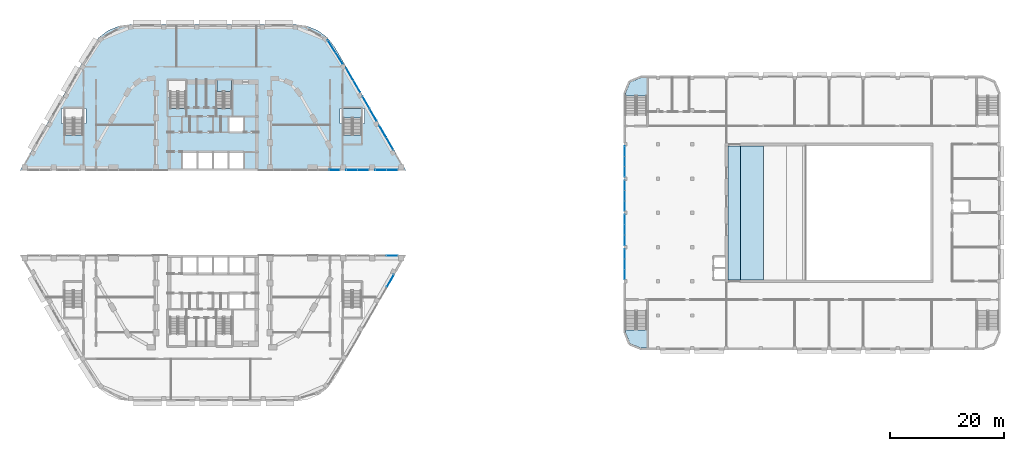
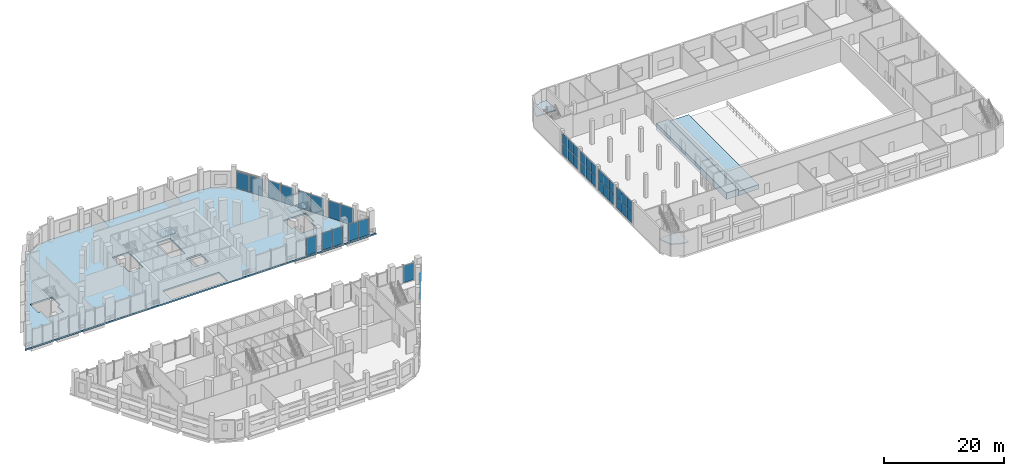
# One storey, part 13 of 45: 39 plates, 7 slabs, 17 elements without a shape of their own.
"""IFC4 building model written with IfcOpenShell, lengths in metres."""

from ifc_helpers import new_model, si_unit, direction, frame, origin, origin_2d, place, context, subcontext, project, spatial, polyline, rectangle, outline, extrude, material, layer, layer_set, type_object, element, aggregate, save


model = new_model("IFC4")

# Units and contexts
model_context = context("Model", 3, precision=1e-05, world=origin(), true_north=direction((0.0, 1.0)))
body_context = subcontext(model_context, "Body", "Model", "MODEL_VIEW")
ifc_project = project(units=[si_unit("LENGTHUNIT", "METRE"), si_unit("AREAUNIT", "SQUARE_METRE"), si_unit("VOLUMEUNIT", "CUBIC_METRE"), si_unit("PLANEANGLEUNIT", "RADIAN"), si_unit("MASSUNIT", "GRAM", prefix="KILO")], contexts=[model_context])

# Site, building, storey
site_placement = place(None, origin())
site = spatial("IfcSite", under=ifc_project, at=site_placement, CompositionType="ELEMENT")
building_placement = place(site_placement, origin())
building = spatial("IfcBuilding", under=site, at=building_placement, Name="Nakaniwa Court", CompositionType="ELEMENT")
storey_placement = place(building_placement, frame((0.0, 0.0, 6.60009765625)))
storey = spatial("IfcBuildingStorey", under=building, at=storey_placement, Name="L01", CompositionType="ELEMENT", Elevation=6.60009765625)

# Slab
ifc_material_1 = material(Name="Concrete C100/115", Category="concrete")
ifc_layer_1 = layer(ifc_material_1, 0.300048828125)
ifc_layer_set_1 = layer_set([ifc_layer_1], Name="Concrete C100/115")
slab_type_1 = type_object("IfcSlabType", Name="Concrete C100/115 post tensioned floor slab 300", PredefinedType="FLOOR", material=ifc_layer_set_1)
slab_1_placement = place(storey_placement, frame((0.0, 0.0, -0.300048828125)))
element("IfcSlab", 1, at=slab_1_placement, inside=storey, type_object=slab_type_1, Name="FLOOR SLAB", PredefinedType="FLOOR", context=body_context, shape_type="SweptSolid", body=[
    extrude(outline(polyline([(58.637939453125, 109.0), (46.167236328125, 87.39990234375), (113.832763671875, 87.39990234375), (101.362060546875, 109.0), (100.090576171875, 110.656982421875), (98.433837890625, 111.92822265625), (96.50439453125, 112.727294921875), (94.433837890625, 113.0), (65.566162109375, 113.0), (63.49560546875, 112.727294921875), (61.566162109375, 111.92822265625), (59.909423828125, 110.656982421875), (58.637939453125, 109.0)]), holes=[polyline([(82.699951171875, 90.699951171875), (80.0, 90.699951171875), (77.300048828125, 90.699951171875), (74.60009765625, 90.699951171875), (74.60009765625, 87.800048828125), (77.300048828125, 87.800048828125), (80.0, 87.800048828125), (82.699951171875, 87.800048828125), (85.39990234375, 87.800048828125), (85.39990234375, 90.699951171875), (82.699951171875, 90.699951171875)]), polyline([(57.175048828125, 95.5849609375), (57.215087890625, 95.5849609375), (57.215087890625, 95.625), (57.72509765625, 95.625), (57.72509765625, 98.324951171875), (57.215087890625, 98.324951171875), (57.215087890625, 98.364990234375), (53.93505859375, 98.364990234375), (53.93505859375, 98.324951171875), (53.425048828125, 98.324951171875), (53.425048828125, 95.625), (53.93505859375, 95.625), (53.93505859375, 95.5849609375), (54.02490234375, 95.5849609375), (54.02490234375, 93.639892578125), (57.175048828125, 93.639892578125), (57.175048828125, 95.5849609375)]), polyline([(75.264892578125, 100.235107421875), (75.264892578125, 103.31494140625), (72.0849609375, 103.31494140625), (72.0849609375, 100.235107421875), (72.47509765625, 100.235107421875), (72.47509765625, 98.2900390625), (75.22509765625, 98.2900390625), (75.22509765625, 100.235107421875), (75.264892578125, 100.235107421875)]), polyline([(85.39990234375, 94.10009765625), (85.39990234375, 96.89990234375), (82.699951171875, 96.89990234375), (82.699951171875, 94.10009765625), (85.39990234375, 94.10009765625)]), polyline([(106.02490234375, 95.5849609375), (106.06494140625, 95.5849609375), (106.06494140625, 95.625), (106.574951171875, 95.625), (106.574951171875, 98.324951171875), (106.06494140625, 98.324951171875), (106.06494140625, 98.364990234375), (102.784912109375, 98.364990234375), (102.784912109375, 98.324951171875), (102.27490234375, 98.324951171875), (102.27490234375, 95.625), (102.784912109375, 95.625), (102.784912109375, 95.5849609375), (102.875, 95.5849609375), (102.875, 93.639892578125), (106.02490234375, 93.639892578125), (106.02490234375, 95.5849609375)]), polyline([(83.27490234375, 100.235107421875), (83.31494140625, 100.235107421875), (83.31494140625, 103.31494140625), (80.635009765625, 103.31494140625), (80.635009765625, 102.675048828125), (80.52490234375, 102.675048828125), (80.52490234375, 98.2900390625), (83.27490234375, 98.2900390625), (83.27490234375, 100.235107421875)])]), origin(), (0.0, 0.0, 1.0), 0.300048828125),
])

# Curtain wall, plates
ifc_material_2 = material(Name="Dark low-E laminated glass in black aluminium frame", Category="aluminium")
ifc_layer_2 = layer(ifc_material_2, 0.159912109375)
ifc_layer_set_2 = layer_set([ifc_layer_2], Name="Dark low-E laminated glass in black aluminium frame")
curtain_wall_type_1 = type_object("IfcCurtainWallType", Name="Hall foyer curtain wall CW6", PredefinedType="NOTDEFINED", material=ifc_layer_set_2)
curtain_wall_1_placement = place(storey_placement, origin())
curtain_wall_1 = element("IfcCurtainWall", 2, at=curtain_wall_1_placement, inside=storey, type_object=curtain_wall_type_1, Name="Foyer curtain wall L01:003", PredefinedType="NOTDEFINED")
ifc_material_3 = material(Name="Dark low-E laminated double glazing", Category="glass")
ifc_layer_3 = layer(ifc_material_3, 0.028076171875)
ifc_layer_set_3 = layer_set([ifc_layer_3], Name="Dark low-E laminated double glazing")
plate_type_1 = type_object("IfcPlateType", Name="Curtain wall glass panel 28", PredefinedType="CURTAIN_PANEL", material=ifc_layer_set_3)
plate_1_placement = place(storey_placement, frame((152.14990234375, 69.215087890625, 0.06005859375), z_axis=(0.0, 0.0, 1.0), x_axis=(0.0, 1.0, 0.0)))
plate_1 = element("IfcPlate", 3, at=plate_1_placement, type_object=plate_type_1, Name="HCW-01 panel 1.1", PredefinedType="CURTAIN_PANEL", context=body_context, shape_type="SweptSolid", body=[
    extrude(rectangle(XDim=1.7099609375, YDim=0.028076171875, at=origin_2d()), origin(), (0.0, 0.0, 1.0), 2.135009765625),
])
plate_2_placement = place(storey_placement, frame((152.14990234375, 69.215087890625, 2.2548828125), z_axis=(0.0, 0.0, 1.0), x_axis=(0.0, 1.0, 0.0)))
plate_2 = element("IfcPlate", 4, at=plate_2_placement, type_object=plate_type_1, Name="HCW-01 panel 1.2", PredefinedType="CURTAIN_PANEL", context=body_context, shape_type="SweptSolid", body=[
    extrude(rectangle(XDim=1.7099609375, YDim=0.028076171875, at=origin_2d()), origin(), (0.0, 0.0, 1.0), 2.135009765625),
])
plate_3_placement = place(storey_placement, frame((152.14990234375, 71.0, 0.06005859375), z_axis=(0.0, 0.0, 1.0), x_axis=(0.0, 1.0, 0.0)))
plate_3 = element("IfcPlate", 5, at=plate_3_placement, type_object=plate_type_1, Name="HCW-01 panel 2.1", PredefinedType="CURTAIN_PANEL", context=body_context, shape_type="SweptSolid", body=[
    extrude(rectangle(XDim=1.739990234375, YDim=0.028076171875, at=origin_2d()), origin(), (0.0, 0.0, 1.0), 2.135009765625),
])
plate_4_placement = place(storey_placement, frame((152.14990234375, 71.0, 2.2548828125), z_axis=(0.0, 0.0, 1.0), x_axis=(0.0, 1.0, 0.0)))
plate_4 = element("IfcPlate", 6, at=plate_4_placement, type_object=plate_type_1, Name="HCW-01 panel 2.2", PredefinedType="CURTAIN_PANEL", context=body_context, shape_type="SweptSolid", body=[
    extrude(rectangle(XDim=1.739990234375, YDim=0.028076171875, at=origin_2d()), origin(), (0.0, 0.0, 1.0), 2.135009765625),
])
plate_5_placement = place(storey_placement, frame((152.14990234375, 72.784912109375, 0.06005859375), z_axis=(0.0, 0.0, 1.0), x_axis=(0.0, 1.0, 0.0)))
plate_5 = element("IfcPlate", 7, at=plate_5_placement, type_object=plate_type_1, Name="HCW-01 panel 3.1", PredefinedType="CURTAIN_PANEL", context=body_context, shape_type="SweptSolid", body=[
    extrude(rectangle(XDim=1.7099609375, YDim=0.028076171875, at=origin_2d()), origin(), (0.0, 0.0, 1.0), 2.135009765625),
])
plate_6_placement = place(storey_placement, frame((152.14990234375, 72.784912109375, 2.2548828125), z_axis=(0.0, 0.0, 1.0), x_axis=(0.0, 1.0, 0.0)))
plate_6 = element("IfcPlate", 8, at=plate_6_placement, type_object=plate_type_1, Name="HCW-01 panel 3.2", PredefinedType="CURTAIN_PANEL", context=body_context, shape_type="SweptSolid", body=[
    extrude(rectangle(XDim=1.7099609375, YDim=0.028076171875, at=origin_2d()), origin(), (0.0, 0.0, 1.0), 2.135009765625),
])
aggregate(curtain_wall_1, [plate_1, plate_2, plate_3, plate_4, plate_5, plate_6])

curtain_wall_2_placement = place(storey_placement, origin())
curtain_wall_2 = element("IfcCurtainWall", 9, at=curtain_wall_2_placement, inside=storey, type_object=curtain_wall_type_1, Name="Foyer curtain wall L01:004", PredefinedType="NOTDEFINED")
plate_7_placement = place(storey_placement, frame((152.14990234375, 75.215087890625, 0.06005859375), z_axis=(0.0, 0.0, 1.0), x_axis=(0.0, 1.0, 0.0)))
plate_7 = element("IfcPlate", 10, at=plate_7_placement, type_object=plate_type_1, Name="HCW-02 panel 1.1", PredefinedType="CURTAIN_PANEL", context=body_context, shape_type="SweptSolid", body=[
    extrude(rectangle(XDim=1.7099609375, YDim=0.028076171875, at=origin_2d()), origin(), (0.0, 0.0, 1.0), 2.135009765625),
])
plate_8_placement = place(storey_placement, frame((152.14990234375, 75.215087890625, 2.2548828125), z_axis=(0.0, 0.0, 1.0), x_axis=(0.0, 1.0, 0.0)))
plate_8 = element("IfcPlate", 11, at=plate_8_placement, type_object=plate_type_1, Name="HCW-02 panel 1.2", PredefinedType="CURTAIN_PANEL", context=body_context, shape_type="SweptSolid", body=[
    extrude(rectangle(XDim=1.7099609375, YDim=0.028076171875, at=origin_2d()), origin(), (0.0, 0.0, 1.0), 2.135009765625),
])
plate_9_placement = place(storey_placement, frame((152.14990234375, 77.0, 0.06005859375), z_axis=(0.0, 0.0, 1.0), x_axis=(0.0, 1.0, 0.0)))
plate_9 = element("IfcPlate", 12, at=plate_9_placement, type_object=plate_type_1, Name="HCW-02 panel 2.1", PredefinedType="CURTAIN_PANEL", context=body_context, shape_type="SweptSolid", body=[
    extrude(rectangle(XDim=1.739990234375, YDim=0.028076171875, at=origin_2d()), origin(), (0.0, 0.0, 1.0), 2.135009765625),
])
plate_10_placement = place(storey_placement, frame((152.14990234375, 77.0, 2.2548828125), z_axis=(0.0, 0.0, 1.0), x_axis=(0.0, 1.0, 0.0)))
plate_10 = element("IfcPlate", 13, at=plate_10_placement, type_object=plate_type_1, Name="HCW-02 panel 2.2", PredefinedType="CURTAIN_PANEL", context=body_context, shape_type="SweptSolid", body=[
    extrude(rectangle(XDim=1.739990234375, YDim=0.028076171875, at=origin_2d()), origin(), (0.0, 0.0, 1.0), 2.135009765625),
])
plate_11_placement = place(storey_placement, frame((152.14990234375, 78.784912109375, 0.06005859375), z_axis=(0.0, 0.0, 1.0), x_axis=(0.0, 1.0, 0.0)))
plate_11 = element("IfcPlate", 14, at=plate_11_placement, type_object=plate_type_1, Name="HCW-02 panel 3.1", PredefinedType="CURTAIN_PANEL", context=body_context, shape_type="SweptSolid", body=[
    extrude(rectangle(XDim=1.7099609375, YDim=0.028076171875, at=origin_2d()), origin(), (0.0, 0.0, 1.0), 2.135009765625),
])
plate_12_placement = place(storey_placement, frame((152.14990234375, 78.784912109375, 2.2548828125), z_axis=(0.0, 0.0, 1.0), x_axis=(0.0, 1.0, 0.0)))
plate_12 = element("IfcPlate", 15, at=plate_12_placement, type_object=plate_type_1, Name="HCW-02 panel 3.2", PredefinedType="CURTAIN_PANEL", context=body_context, shape_type="SweptSolid", body=[
    extrude(rectangle(XDim=1.7099609375, YDim=0.028076171875, at=origin_2d()), origin(), (0.0, 0.0, 1.0), 2.135009765625),
])
aggregate(curtain_wall_2, [plate_7, plate_8, plate_9, plate_10, plate_11, plate_12])

curtain_wall_3_placement = place(storey_placement, origin())
curtain_wall_3 = element("IfcCurtainWall", 16, at=curtain_wall_3_placement, inside=storey, type_object=curtain_wall_type_1, Name="Foyer curtain wall L01:005", PredefinedType="NOTDEFINED")
plate_13_placement = place(storey_placement, frame((152.14990234375, 81.215087890625, 0.06005859375), z_axis=(0.0, 0.0, 1.0), x_axis=(0.0, 1.0, 0.0)))
plate_13 = element("IfcPlate", 17, at=plate_13_placement, type_object=plate_type_1, Name="HCW-03 panel 1.1", PredefinedType="CURTAIN_PANEL", context=body_context, shape_type="SweptSolid", body=[
    extrude(rectangle(XDim=1.7099609375, YDim=0.028076171875, at=origin_2d()), origin(), (0.0, 0.0, 1.0), 2.135009765625),
])
plate_14_placement = place(storey_placement, frame((152.14990234375, 81.215087890625, 2.2548828125), z_axis=(0.0, 0.0, 1.0), x_axis=(0.0, 1.0, 0.0)))
plate_14 = element("IfcPlate", 18, at=plate_14_placement, type_object=plate_type_1, Name="HCW-03 panel 1.2", PredefinedType="CURTAIN_PANEL", context=body_context, shape_type="SweptSolid", body=[
    extrude(rectangle(XDim=1.7099609375, YDim=0.028076171875, at=origin_2d()), origin(), (0.0, 0.0, 1.0), 2.135009765625),
])
plate_15_placement = place(storey_placement, frame((152.14990234375, 83.0, 0.06005859375), z_axis=(0.0, 0.0, 1.0), x_axis=(0.0, 1.0, 0.0)))
plate_15 = element("IfcPlate", 19, at=plate_15_placement, type_object=plate_type_1, Name="HCW-03 panel 2.1", PredefinedType="CURTAIN_PANEL", context=body_context, shape_type="SweptSolid", body=[
    extrude(rectangle(XDim=1.739990234375, YDim=0.028076171875, at=origin_2d()), origin(), (0.0, 0.0, 1.0), 2.135009765625),
])
plate_16_placement = place(storey_placement, frame((152.14990234375, 83.0, 2.2548828125), z_axis=(0.0, 0.0, 1.0), x_axis=(0.0, 1.0, 0.0)))
plate_16 = element("IfcPlate", 20, at=plate_16_placement, type_object=plate_type_1, Name="HCW-03 panel 2.2", PredefinedType="CURTAIN_PANEL", context=body_context, shape_type="SweptSolid", body=[
    extrude(rectangle(XDim=1.739990234375, YDim=0.028076171875, at=origin_2d()), origin(), (0.0, 0.0, 1.0), 2.135009765625),
])
plate_17_placement = place(storey_placement, frame((152.14990234375, 84.784912109375, 0.06005859375), z_axis=(0.0, 0.0, 1.0), x_axis=(0.0, 1.0, 0.0)))
plate_17 = element("IfcPlate", 21, at=plate_17_placement, type_object=plate_type_1, Name="HCW-03 panel 3.1", PredefinedType="CURTAIN_PANEL", context=body_context, shape_type="SweptSolid", body=[
    extrude(rectangle(XDim=1.7099609375, YDim=0.028076171875, at=origin_2d()), origin(), (0.0, 0.0, 1.0), 2.135009765625),
])
plate_18_placement = place(storey_placement, frame((152.14990234375, 84.784912109375, 2.2548828125), z_axis=(0.0, 0.0, 1.0), x_axis=(0.0, 1.0, 0.0)))
plate_18 = element("IfcPlate", 22, at=plate_18_placement, type_object=plate_type_1, Name="HCW-03 panel 3.2", PredefinedType="CURTAIN_PANEL", context=body_context, shape_type="SweptSolid", body=[
    extrude(rectangle(XDim=1.7099609375, YDim=0.028076171875, at=origin_2d()), origin(), (0.0, 0.0, 1.0), 2.135009765625),
])
aggregate(curtain_wall_3, [plate_13, plate_14, plate_15, plate_16, plate_17, plate_18])

curtain_wall_4_placement = place(storey_placement, origin())
curtain_wall_4 = element("IfcCurtainWall", 23, at=curtain_wall_4_placement, inside=storey, type_object=curtain_wall_type_1, Name="Foyer curtain wall L01:006", PredefinedType="NOTDEFINED")
plate_19_placement = place(storey_placement, frame((152.14990234375, 87.215087890625, 0.06005859375), z_axis=(0.0, 0.0, 1.0), x_axis=(0.0, 1.0, 0.0)))
plate_19 = element("IfcPlate", 24, at=plate_19_placement, type_object=plate_type_1, Name="HCW-04 panel 1.1", PredefinedType="CURTAIN_PANEL", context=body_context, shape_type="SweptSolid", body=[
    extrude(rectangle(XDim=1.7099609375, YDim=0.028076171875, at=origin_2d()), origin(), (0.0, 0.0, 1.0), 2.135009765625),
])
plate_20_placement = place(storey_placement, frame((152.14990234375, 87.215087890625, 2.2548828125), z_axis=(0.0, 0.0, 1.0), x_axis=(0.0, 1.0, 0.0)))
plate_20 = element("IfcPlate", 25, at=plate_20_placement, type_object=plate_type_1, Name="HCW-04 panel 1.2", PredefinedType="CURTAIN_PANEL", context=body_context, shape_type="SweptSolid", body=[
    extrude(rectangle(XDim=1.7099609375, YDim=0.028076171875, at=origin_2d()), origin(), (0.0, 0.0, 1.0), 2.135009765625),
])
plate_21_placement = place(storey_placement, frame((152.14990234375, 89.0, 0.06005859375), z_axis=(0.0, 0.0, 1.0), x_axis=(0.0, 1.0, 0.0)))
plate_21 = element("IfcPlate", 26, at=plate_21_placement, type_object=plate_type_1, Name="HCW-04 panel 2.1", PredefinedType="CURTAIN_PANEL", context=body_context, shape_type="SweptSolid", body=[
    extrude(rectangle(XDim=1.739990234375, YDim=0.028076171875, at=origin_2d()), origin(), (0.0, 0.0, 1.0), 2.135009765625),
])
plate_22_placement = place(storey_placement, frame((152.14990234375, 89.0, 2.2548828125), z_axis=(0.0, 0.0, 1.0), x_axis=(0.0, 1.0, 0.0)))
plate_22 = element("IfcPlate", 27, at=plate_22_placement, type_object=plate_type_1, Name="HCW-04 panel 2.2", PredefinedType="CURTAIN_PANEL", context=body_context, shape_type="SweptSolid", body=[
    extrude(rectangle(XDim=1.739990234375, YDim=0.028076171875, at=origin_2d()), origin(), (0.0, 0.0, 1.0), 2.135009765625),
])
plate_23_placement = place(storey_placement, frame((152.14990234375, 90.784912109375, 0.06005859375), z_axis=(0.0, 0.0, 1.0), x_axis=(0.0, 1.0, 0.0)))
plate_23 = element("IfcPlate", 28, at=plate_23_placement, type_object=plate_type_1, Name="HCW-04 panel 3.1", PredefinedType="CURTAIN_PANEL", context=body_context, shape_type="SweptSolid", body=[
    extrude(rectangle(XDim=1.7099609375, YDim=0.028076171875, at=origin_2d()), origin(), (0.0, 0.0, 1.0), 2.135009765625),
])
plate_24_placement = place(storey_placement, frame((152.14990234375, 90.784912109375, 2.2548828125), z_axis=(0.0, 0.0, 1.0), x_axis=(0.0, 1.0, 0.0)))
plate_24 = element("IfcPlate", 29, at=plate_24_placement, type_object=plate_type_1, Name="HCW-04 panel 3.2", PredefinedType="CURTAIN_PANEL", context=body_context, shape_type="SweptSolid", body=[
    extrude(rectangle(XDim=1.7099609375, YDim=0.028076171875, at=origin_2d()), origin(), (0.0, 0.0, 1.0), 2.135009765625),
])
aggregate(curtain_wall_4, [plate_19, plate_20, plate_21, plate_22, plate_23, plate_24])

# Stair, slab
ifc_material_4 = material(Name="Concrete C40/50", Category="concrete")
stair_type_1 = type_object("IfcStairType", Name="Hall exit stair 26 risers", PredefinedType="HALF_TURN_STAIR", material=ifc_material_4)
stair_1_placement = place(storey_placement, origin())
stair_1 = element("IfcStair", 30, at=stair_1_placement, inside=storey, type_object=stair_type_1, Name="L01 Exit stair 1", PredefinedType="HALF_TURN_STAIR")
ifc_layer_4 = layer(ifc_material_4, 0.199951171875)
ifc_layer_set_4 = layer_set([ifc_layer_4], Name="Concrete C40/50")
slab_type_2 = type_object("IfcSlabType", Name="Hall stair landing 200", PredefinedType="LANDING", material=ifc_layer_set_4)
slab_2_placement = place(storey_placement, frame((0.0, 0.0, 2.199951171875)))
slab_2 = element("IfcSlab", 31, at=slab_2_placement, type_object=slab_type_2, Name="ST-H1 landing 1", PredefinedType="LANDING", context=body_context, shape_type="SweptSolid", body=[
    extrude(outline(polyline([(152.300048828125, 59.0), (153.0908203125, 57.0908203125), (155.0, 56.300048828125), (156.050048828125, 56.300048828125), (156.050048828125, 59.5), (152.300048828125, 59.5), (152.300048828125, 59.0)])), origin(), (0.0, 0.0, 1.0), 0.199951171875),
])
aggregate(stair_1, [slab_2])

stair_2_placement = place(storey_placement, origin())
stair_2 = element("IfcStair", 32, at=stair_2_placement, inside=storey, type_object=stair_type_1, Name="L01 Exit stair 2", PredefinedType="HALF_TURN_STAIR")
slab_3_placement = place(storey_placement, frame((0.0, 0.0, 2.199951171875)))
slab_3 = element("IfcSlab", 33, at=slab_3_placement, type_object=slab_type_2, Name="ST-H2 landing 1", PredefinedType="LANDING", context=body_context, shape_type="SweptSolid", body=[
    extrude(outline(polyline([(156.050048828125, 103.699951171875), (155.0, 103.699951171875), (153.0908203125, 102.9091796875), (152.300048828125, 101.0), (152.300048828125, 100.5), (156.050048828125, 100.5), (156.050048828125, 103.699951171875)])), origin(), (0.0, 0.0, 1.0), 0.199951171875),
])
aggregate(stair_2, [slab_3])

# Curtain wall, plate
ifc_material_5 = material(Name="Black anodised aluminium frame with dark low-E laminated double glazing", Category="aluminium")
ifc_layer_5 = layer(ifc_material_5, 0.199951171875)
ifc_layer_set_5 = layer_set([ifc_layer_5], Name="Black anodised aluminium frame with dark low-E laminated double glazing")
curtain_wall_type_2 = type_object("IfcCurtainWallType", Name="Podium unitised curtain wall", PredefinedType="NOTDEFINED", material=ifc_layer_set_5)
curtain_wall_5_placement = place(storey_placement, origin())
curtain_wall_5 = element("IfcCurtainWall", 34, at=curtain_wall_5_placement, inside=storey, type_object=curtain_wall_type_2, Name="L01 curtain wall CW1 02", PredefinedType="NOTDEFINED")
ifc_material_6 = material(Name="Dark toughened glass", Category="glass")
ifc_layer_6 = layer(ifc_material_6, 0.008, Name="Outer pane")
ifc_material_7 = material(Name="Argon filled cavity")
ifc_layer_7 = layer(ifc_material_7, 0.016, Name="Cavity")
ifc_material_8 = material(Name="Dark laminated safety glass", Category="glass")
ifc_layer_8 = layer(ifc_material_8, 0.008, Name="Inner pane")
ifc_layer_set_6 = layer_set([ifc_layer_6, ifc_layer_7, ifc_layer_8], Name="Dark low-E laminated double glazing")
plate_type_2 = type_object("IfcPlateType", Name="Podium unitised curtain wall glass panel", PredefinedType="CURTAIN_PANEL", material=ifc_layer_set_6)
plate_25_placement = place(storey_placement, frame((111.09521484375, 68.058349609375, 0.0498046875), z_axis=(0.0, 0.0, 1.0), x_axis=(0.500002911009, 0.866023723106, 0.0)))
plate_25 = element("IfcPlate", 35, at=plate_25_placement, type_object=plate_type_2, Name="CW1 panel 2.1", PredefinedType="CURTAIN_PANEL", context=body_context, shape_type="SweptSolid", body=[
    extrude(rectangle(XDim=2.40771484375, YDim=0.031982421875, at=origin_2d()), origin(), (0.0, 0.0, 1.0), 3.5),
])
aggregate(curtain_wall_5, [plate_25])

# Curtain wall, plates
curtain_wall_6_placement = place(storey_placement, origin())
curtain_wall_6 = element("IfcCurtainWall", 36, at=curtain_wall_6_placement, inside=storey, type_object=curtain_wall_type_2, Name="L01 curtain wall CW1 40", PredefinedType="NOTDEFINED")
plate_26_placement = place(storey_placement, frame((110.993896484375, 92.1171875, 0.0498046875), z_axis=(0.0, 0.0, 1.0), x_axis=(-0.499987941889, 0.866032365426, 0.0)))
plate_26 = element("IfcPlate", 37, at=plate_26_placement, type_object=plate_type_2, Name="CW1 panel 1.1", PredefinedType="CURTAIN_PANEL", context=body_context, shape_type="SweptSolid", body=[
    extrude(rectangle(XDim=2.40771484375, YDim=0.031982421875, at=origin_2d()), origin(), (0.0, 0.0, 1.0), 3.5),
])
plate_27_placement = place(storey_placement, frame((109.757568359375, 94.258544921875, 0.0498046875), z_axis=(0.0, 0.0, 1.0), x_axis=(-0.499987941889, 0.866032365426, 0.0)))
plate_27 = element("IfcPlate", 38, at=plate_27_placement, type_object=plate_type_2, Name="CW1 panel 2.1", PredefinedType="CURTAIN_PANEL", context=body_context, shape_type="SweptSolid", body=[
    extrude(rectangle(XDim=2.40771484375, YDim=0.031982421875, at=origin_2d()), origin(), (0.0, 0.0, 1.0), 3.5),
])
aggregate(curtain_wall_6, [plate_26, plate_27])

curtain_wall_7_placement = place(storey_placement, origin())
curtain_wall_7 = element("IfcCurtainWall", 39, at=curtain_wall_7_placement, inside=storey, type_object=curtain_wall_type_2, Name="L01 curtain wall CW1 41", PredefinedType="NOTDEFINED")
plate_28_placement = place(storey_placement, frame((108.0927734375, 97.14208984375, 0.0498046875), z_axis=(0.0, 0.0, 1.0), x_axis=(-0.499994268761, 0.866028712692, 0.0)))
plate_28 = element("IfcPlate", 40, at=plate_28_placement, type_object=plate_type_2, Name="CW1 panel 1.1", PredefinedType="CURTAIN_PANEL", context=body_context, shape_type="SweptSolid", body=[
    extrude(rectangle(XDim=2.40771484375, YDim=0.031982421875, at=origin_2d()), origin(), (0.0, 0.0, 1.0), 3.5),
])
plate_29_placement = place(storey_placement, frame((106.8564453125, 99.283447265625, 0.0498046875), z_axis=(0.0, 0.0, 1.0), x_axis=(-0.499994268761, 0.866028712692, 0.0)))
plate_29 = element("IfcPlate", 41, at=plate_29_placement, type_object=plate_type_2, Name="CW1 panel 2.1", PredefinedType="CURTAIN_PANEL", context=body_context, shape_type="SweptSolid", body=[
    extrude(rectangle(XDim=2.40771484375, YDim=0.031982421875, at=origin_2d()), origin(), (0.0, 0.0, 1.0), 3.5),
])
aggregate(curtain_wall_7, [plate_28, plate_29])

curtain_wall_8_placement = place(storey_placement, origin())
curtain_wall_8 = element("IfcCurtainWall", 42, at=curtain_wall_8_placement, inside=storey, type_object=curtain_wall_type_2, Name="L01 curtain wall CW1 42", PredefinedType="NOTDEFINED")
plate_30_placement = place(storey_placement, frame((105.19140625, 102.1669921875, 0.0498046875), z_axis=(0.0, 0.0, 1.0), x_axis=(-0.499987941889, 0.866032365426, 0.0)))
plate_30 = element("IfcPlate", 43, at=plate_30_placement, type_object=plate_type_2, Name="CW1 panel 1.1", PredefinedType="CURTAIN_PANEL", context=body_context, shape_type="SweptSolid", body=[
    extrude(rectangle(XDim=2.40771484375, YDim=0.031982421875, at=origin_2d()), origin(), (0.0, 0.0, 1.0), 3.5),
])
plate_31_placement = place(storey_placement, frame((103.955078125, 104.308349609375, 0.0498046875), z_axis=(0.0, 0.0, 1.0), x_axis=(-0.499987941889, 0.866032365426, 0.0)))
plate_31 = element("IfcPlate", 44, at=plate_31_placement, type_object=plate_type_2, Name="CW1 panel 2.1", PredefinedType="CURTAIN_PANEL", context=body_context, shape_type="SweptSolid", body=[
    extrude(rectangle(XDim=2.40771484375, YDim=0.031982421875, at=origin_2d()), origin(), (0.0, 0.0, 1.0), 3.5),
])
aggregate(curtain_wall_8, [plate_30, plate_31])

curtain_wall_9_placement = place(storey_placement, origin())
curtain_wall_9 = element("IfcCurtainWall", 45, at=curtain_wall_9_placement, inside=storey, type_object=curtain_wall_type_2, Name="L01 curtain wall CW1 43", PredefinedType="NOTDEFINED")
plate_32_placement = place(storey_placement, frame((102.109619140625, 107.10205078125, 0.0498046875), z_axis=(0.0, 0.0, 1.0), x_axis=(-0.537644342899, 0.843171726606, 0.0)))
plate_32 = element("IfcPlate", 46, at=plate_32_placement, type_object=plate_type_2, Name="CW1 panel 1.1", PredefinedType="CURTAIN_PANEL", context=body_context, shape_type="SweptSolid", body=[
    extrude(rectangle(XDim=2.4306640625, YDim=0.031982421875, at=origin_2d()), origin(), (0.0, 0.0, 1.0), 3.5),
])
plate_33_placement = place(storey_placement, frame((100.767822265625, 109.20654296875, 0.0498046875), z_axis=(0.0, 0.0, 1.0), x_axis=(-0.537644342899, 0.843171726606, 0.0)))
plate_33 = element("IfcPlate", 47, at=plate_33_placement, type_object=plate_type_2, Name="CW1 panel 2.1", PredefinedType="CURTAIN_PANEL", context=body_context, shape_type="SweptSolid", body=[
    extrude(rectangle(XDim=2.4306640625, YDim=0.031982421875, at=origin_2d()), origin(), (0.0, 0.0, 1.0), 3.5),
])
aggregate(curtain_wall_9, [plate_32, plate_33])

# Curtain wall, plate
ifc_layer_9 = layer(ifc_material_5, 0.199951171875)
ifc_layer_set_7 = layer_set([ifc_layer_9], Name="Black anodised aluminium frame with dark low-E laminated double glazing")
curtain_wall_type_3 = type_object("IfcCurtainWallType", Name="Portal side curtain wall", PredefinedType="NOTDEFINED", material=ifc_layer_set_7)
curtain_wall_10_placement = place(storey_placement, origin())
curtain_wall_10 = element("IfcCurtainWall", 48, at=curtain_wall_10_placement, inside=storey, type_object=curtain_wall_type_3, Name="L01 curtain wall CW5 04", PredefinedType="NOTDEFINED")
ifc_layer_10 = layer(ifc_material_6, 0.009, Name="Outer pane")
ifc_layer_11 = layer(ifc_material_7, 0.016, Name="Cavity")
ifc_layer_12 = layer(ifc_material_8, 0.009, Name="Inner pane")
ifc_layer_set_8 = layer_set([ifc_layer_10, ifc_layer_11, ifc_layer_12], Name="Dark low-E laminated double glazing")
plate_type_3 = type_object("IfcPlateType", Name="Portal side curtain wall glass panel", PredefinedType="CURTAIN_PANEL", material=ifc_layer_set_8)
plate_34_placement = place(storey_placement, frame((111.45751953125, 72.5, 0.06494140625), z_axis=(0.0, 0.0, 1.0), x_axis=(-1.0, 0.0, 0.0)))
plate_34 = element("IfcPlate", 49, at=plate_34_placement, type_object=plate_type_3, Name="CW5 panel 1.1", PredefinedType="CURTAIN_PANEL", context=body_context, shape_type="SweptSolid", body=[
    extrude(rectangle(XDim=1.93505859375, YDim=0.033935546875, at=origin_2d()), origin(), (0.0, 0.0, 1.0), 3.469970703125),
])
aggregate(curtain_wall_10, [plate_34])

curtain_wall_11_placement = place(storey_placement, origin())
curtain_wall_11 = element("IfcCurtainWall", 50, at=curtain_wall_11_placement, inside=storey, type_object=curtain_wall_type_3, Name="L01 curtain wall CW5 36", PredefinedType="NOTDEFINED")
plate_35_placement = place(storey_placement, frame((101.31494140625, 87.5, 0.06494140625), z_axis=(0.0, 0.0, 1.0), x_axis=(1.0, 0.0, 0.0)))
plate_35 = element("IfcPlate", 51, at=plate_35_placement, type_object=plate_type_3, Name="CW5 panel 2.1", PredefinedType="CURTAIN_PANEL", context=body_context, shape_type="SweptSolid", body=[
    extrude(rectangle(XDim=1.8740234375, YDim=0.033935546875, at=origin_2d()), origin(), (0.0, 0.0, 1.0), 3.469970703125),
])
aggregate(curtain_wall_11, [plate_35])

# Curtain wall, plates
curtain_wall_12_placement = place(storey_placement, origin())
curtain_wall_12 = element("IfcCurtainWall", 52, at=curtain_wall_12_placement, inside=storey, type_object=curtain_wall_type_3, Name="L01 curtain wall CW5 37", PredefinedType="NOTDEFINED")
plate_36_placement = place(storey_placement, frame((104.361328125, 87.5, 0.06494140625), z_axis=(0.0, 0.0, 1.0), x_axis=(1.0, 0.0, 0.0)))
plate_36 = element("IfcPlate", 53, at=plate_36_placement, type_object=plate_type_3, Name="CW5 panel 1.1", PredefinedType="CURTAIN_PANEL", context=body_context, shape_type="SweptSolid", body=[
    extrude(rectangle(XDim=1.9345703125, YDim=0.033935546875, at=origin_2d()), origin(), (0.0, 0.0, 1.0), 3.469970703125),
])
plate_37_placement = place(storey_placement, frame((106.370849609375, 87.5, 0.06494140625), z_axis=(0.0, 0.0, 1.0), x_axis=(1.0, 0.0, 0.0)))
plate_37 = element("IfcPlate", 54, at=plate_37_placement, type_object=plate_type_3, Name="CW5 panel 2.1", PredefinedType="CURTAIN_PANEL", context=body_context, shape_type="SweptSolid", body=[
    extrude(rectangle(XDim=1.9345703125, YDim=0.033935546875, at=origin_2d()), origin(), (0.0, 0.0, 1.0), 3.469970703125),
])
aggregate(curtain_wall_12, [plate_36, plate_37])

curtain_wall_13_placement = place(storey_placement, origin())
curtain_wall_13 = element("IfcCurtainWall", 55, at=curtain_wall_13_placement, inside=storey, type_object=curtain_wall_type_3, Name="L01 curtain wall CW5 38", PredefinedType="NOTDEFINED")
plate_38_placement = place(storey_placement, frame((109.447509765625, 87.5, 0.06494140625), z_axis=(0.0, 0.0, 1.0), x_axis=(1.0, 0.0, 0.0)))
plate_38 = element("IfcPlate", 56, at=plate_38_placement, type_object=plate_type_3, Name="CW5 panel 1.1", PredefinedType="CURTAIN_PANEL", context=body_context, shape_type="SweptSolid", body=[
    extrude(rectangle(XDim=1.93505859375, YDim=0.033935546875, at=origin_2d()), origin(), (0.0, 0.0, 1.0), 3.469970703125),
])
plate_39_placement = place(storey_placement, frame((111.45751953125, 87.5, 0.06494140625), z_axis=(0.0, 0.0, 1.0), x_axis=(1.0, 0.0, 0.0)))
plate_39 = element("IfcPlate", 57, at=plate_39_placement, type_object=plate_type_3, Name="CW5 panel 2.1", PredefinedType="CURTAIN_PANEL", context=body_context, shape_type="SweptSolid", body=[
    extrude(rectangle(XDim=1.93505859375, YDim=0.033935546875, at=origin_2d()), origin(), (0.0, 0.0, 1.0), 3.469970703125),
])
aggregate(curtain_wall_13, [plate_38, plate_39])

# Stair, slab
ifc_material_9 = material(Name="Concrete C80/100", Category="concrete")
stair_type_2 = type_object("IfcStairType", Name="Dog leg stair 1300 wide 26 risers", PredefinedType="HALF_TURN_STAIR", material=ifc_material_9)
stair_3_placement = place(storey_placement, origin())
stair_3 = element("IfcStair", 58, at=stair_3_placement, inside=storey, type_object=stair_type_2, Name="L01 Stair ST2", PredefinedType="HALF_TURN_STAIR")
ifc_layer_13 = layer(ifc_material_9, 0.199951171875)
ifc_layer_set_9 = layer_set([ifc_layer_13], Name="Concrete C80/100")
slab_type_3 = type_object("IfcSlabType", Name="Stair landing concrete", PredefinedType="LANDING", material=ifc_layer_set_9)
slab_4_placement = place(storey_placement, frame((0.0, 0.0, 2.199951171875)))
slab_4 = element("IfcSlab", 59, at=slab_4_placement, type_object=slab_type_3, Name="ST2 landing 1", PredefinedType="LANDING", context=body_context, shape_type="SweptSolid", body=[
    extrude(outline(polyline([(83.27490234375, 101.27490234375), (83.27490234375, 103.27490234375), (80.675048828125, 103.27490234375), (80.675048828125, 101.27490234375), (83.27490234375, 101.27490234375)])), origin(), (0.0, 0.0, 1.0), 0.199951171875),
])
aggregate(stair_3, [slab_4])

stair_type_3 = type_object("IfcStairType", Name="Dog leg stair 1500 wide 26 risers", PredefinedType="HALF_TURN_STAIR", material=ifc_material_9)
stair_4_placement = place(storey_placement, origin())
stair_4 = element("IfcStair", 60, at=stair_4_placement, inside=storey, type_object=stair_type_3, Name="L01 Stair SS1", PredefinedType="HALF_TURN_STAIR")
slab_5_placement = place(storey_placement, frame((0.0, 0.0, 2.199951171875)))
slab_5 = element("IfcSlab", 61, at=slab_5_placement, type_object=slab_type_3, Name="SS1 landing 1", PredefinedType="LANDING", context=body_context, shape_type="SweptSolid", body=[
    extrude(outline(polyline([(106.02490234375, 96.625), (106.02490234375, 98.324951171875), (102.824951171875, 98.324951171875), (102.824951171875, 96.625), (106.02490234375, 96.625)])), origin(), (0.0, 0.0, 1.0), 0.199951171875),
])
aggregate(stair_4, [slab_5])

# Slabs
ifc_layer_14 = layer(ifc_material_4, 1.35009765625)
ifc_layer_set_10 = layer_set([ifc_layer_14], Name="Concrete C40/50")
slab_type_4 = type_object("IfcSlabType", Name="Terrace step slab 1350", PredefinedType="FLOOR", material=ifc_layer_set_10)
slab_6_placement = place(storey_placement, frame((0.0, 0.0, -1.35009765625)))
element("IfcSlab", 62, at=slab_6_placement, inside=storey, type_object=slab_type_4, Name="Balcony tier L01 step R3", PredefinedType="FLOOR", context=body_context, shape_type="SweptSolid", body=[
    extrude(outline(polyline([(172.5, 68.25), (172.5, 91.75), (170.25, 91.75), (170.25, 68.25), (172.5, 68.25)])), origin(), (0.0, 0.0, 1.0), 1.35009765625),
])
ifc_layer_15 = layer(ifc_material_4, 0.89990234375)
ifc_layer_set_11 = layer_set([ifc_layer_15], Name="Concrete C40/50")
slab_type_5 = type_object("IfcSlabType", Name="Terrace step slab 900", PredefinedType="FLOOR", material=ifc_layer_set_11)
slab_7_placement = place(storey_placement, frame((0.0, 0.0, -1.35009765625)))
element("IfcSlab", 63, at=slab_7_placement, inside=storey, type_object=slab_type_5, Name="Balcony tier L01 step R2", PredefinedType="FLOOR", context=body_context, shape_type="SweptSolid", body=[
    extrude(outline(polyline([(176.5, 68.25), (176.5, 91.75), (172.5, 91.75), (172.5, 68.25), (176.5, 68.25)])), origin(), (0.0, 0.0, 1.0), 0.89990234375),
])

save(model, "model.ifc")
